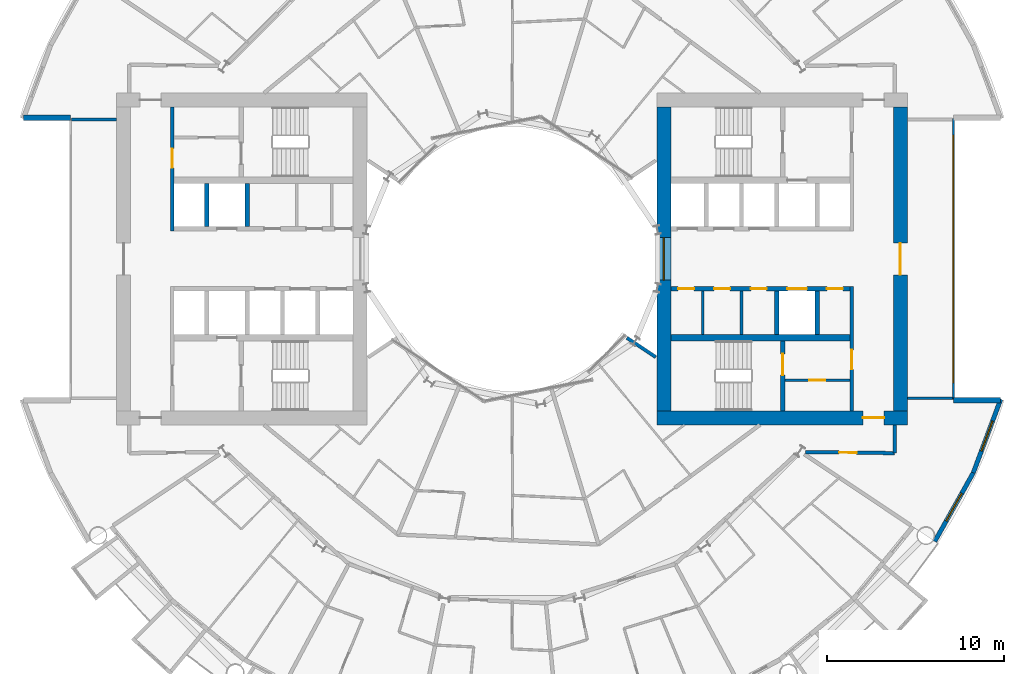
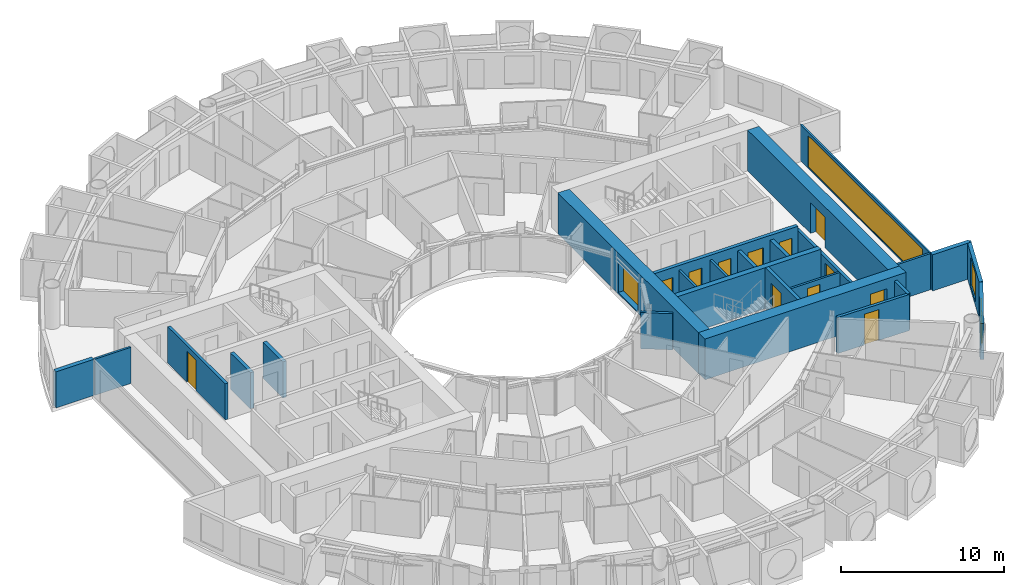
# One storey, part 17 of 25: 25 walls, 12 doors, 4 windows, 16 openings.
"""IFC4 building model written with IfcOpenShell, lengths in metres."""

from ifc_helpers import new_model, si_unit, direction, frame, frame_2d, origin, place, context, subcontext, project, spatial, rectangle, extrude, material, layer, layer_set, type_object, element, fill, save


model = new_model("IFC4")

# Units and contexts
model_context = context("Model", 3, precision=1e-05, world=origin(), true_north=direction((0.0, 1.0)))
body_context = subcontext(model_context, "Body", "Model", "MODEL_VIEW")
ifc_project = project(units=[si_unit("LENGTHUNIT", "METRE"), si_unit("AREAUNIT", "SQUARE_METRE"), si_unit("VOLUMEUNIT", "CUBIC_METRE"), si_unit("PLANEANGLEUNIT", "RADIAN"), si_unit("MASSUNIT", "GRAM", prefix="KILO")], contexts=[model_context])

# Site, building, storey
site_placement = place(None, origin())
site = spatial("IfcSite", under=ifc_project, at=site_placement, CompositionType="ELEMENT")
building_placement = place(site_placement, origin())
building = spatial("IfcBuilding", under=site, at=building_placement, Name="Maasbend Ring Residences", CompositionType="ELEMENT")
storey_placement = place(building_placement, frame((0.0, 0.0, 41.10009765625)))
storey = spatial("IfcBuildingStorey", under=building, at=storey_placement, Name="L11", CompositionType="ELEMENT", Elevation=41.10009765625)

# Wall, openings, doors
ifc_material_1 = material(Name="Concrete C70/85", Category="concrete")
ifc_layer_1 = layer(ifc_material_1, 0.25)
ifc_layer_set_1 = layer_set([ifc_layer_1], Name="Concrete C70/85")
wall_type_1 = type_object("IfcWallType", Name="CORE WALL 250 C70/85", PredefinedType="SHEAR", material=ifc_layer_set_1)
wall_1_placement = place(storey_placement, frame((19.14990234375, -1.699951171875, 0.0), z_axis=(0.0, 0.0, 1.0), x_axis=(-1.0, 0.0, 0.0)))
wall_1 = element("IfcWall", 1, at=wall_1_placement, inside=storey, type_object=wall_type_1, Name="L11 core E wall SPS", PredefinedType="SHEAR", context=body_context, shape_type="SweptSolid", body=[
    extrude(rectangle(XDim=10.14990234375, YDim=0.25, at=frame_2d((5.074951171875, 0.0))), origin(), (0.0, 0.0, 1.0), 3.0498046875),
])
opening_1_placement = place(wall_1_placement, frame((2.449951171875, 0.0, 0.0)))
opening_1 = element("IfcOpeningElement", 2, at=opening_1_placement, cuts=wall_1, Name="Opening LD-E1105", PredefinedType="OPENING", context=body_context, shape_type="SweptSolid", body=[
    extrude(rectangle(XDim=1.10009765625, YDim=2.300048828125, at=frame_2d((0.550048828125, 1.14990234375))), frame((0.0, 0.135009765625, 0.0), z_axis=(0.0, -1.0, 0.0), x_axis=(1.0, 0.0, 0.0)), (0.0, 0.0, 1.0), 0.27001953125),
])
opening_2_placement = place(wall_1_placement, frame((8.83740234375, 0.0, 0.0)))
opening_2 = element("IfcOpeningElement", 3, at=opening_2_placement, cuts=wall_1, Name="Opening D-E1106", PredefinedType="OPENING", context=body_context, shape_type="SweptSolid", body=[
    extrude(rectangle(XDim=0.89990234375, YDim=2.300048828125, at=frame_2d((0.449951171875, 1.14990234375))), frame((0.0, 0.135009765625, 0.0), z_axis=(0.0, -1.0, 0.0), x_axis=(1.0, 0.0, 0.0)), (0.0, 0.0, 1.0), 0.27001953125),
])
opening_3_placement = place(wall_1_placement, frame((6.800048828125, 0.0, 0.0)))
opening_3 = element("IfcOpeningElement", 4, at=opening_3_placement, cuts=wall_1, Name="Opening D-E1107", PredefinedType="OPENING", context=body_context, shape_type="SweptSolid", body=[
    extrude(rectangle(XDim=0.89990234375, YDim=2.300048828125, at=frame_2d((0.449951171875, 1.14990234375))), frame((0.0, 0.135009765625, 0.0), z_axis=(0.0, -1.0, 0.0), x_axis=(1.0, 0.0, 0.0)), (0.0, 0.0, 1.0), 0.27001953125),
])
opening_4_placement = place(wall_1_placement, frame((4.72509765625, 0.0, 0.0)))
opening_4 = element("IfcOpeningElement", 5, at=opening_4_placement, cuts=wall_1, Name="Opening D-E1108", PredefinedType="OPENING", context=body_context, shape_type="SweptSolid", body=[
    extrude(rectangle(XDim=0.89990234375, YDim=2.300048828125, at=frame_2d((0.449951171875, 1.14990234375))), frame((0.0, 0.135009765625, 0.0), z_axis=(0.0, -1.0, 0.0), x_axis=(1.0, 0.0, 0.0)), (0.0, 0.0, 1.0), 0.27001953125),
])
opening_5_placement = place(wall_1_placement, frame((0.41259765625, 0.0, 0.0)))
opening_5 = element("IfcOpeningElement", 6, at=opening_5_placement, cuts=wall_1, Name="Opening D-E1109", PredefinedType="OPENING", context=body_context, shape_type="SweptSolid", body=[
    extrude(rectangle(XDim=0.89990234375, YDim=2.300048828125, at=frame_2d((0.449951171875, 1.14990234375))), frame((0.0, 0.135009765625, 0.0), z_axis=(0.0, -1.0, 0.0), x_axis=(1.0, 0.0, 0.0)), (0.0, 0.0, 1.0), 0.27001953125),
])
ifc_material_2 = material(Name="Stainless steel 316", Category="steel")
door_type_1 = type_object("IfcDoorType", Name="LANDING DOOR 1100 X 2300 FD60", OperationType="DOUBLE_DOOR_SLIDING", PredefinedType="DOOR", material=ifc_material_2)
door_1_placement = place(opening_1_placement, origin())
door_1 = element("IfcDoor", 7, at=door_1_placement, inside=storey, type_object=door_type_1, Name="Landing door SV-E L11", OperationType="DOUBLE_DOOR_SLIDING", OverallHeight=2.300048828125, OverallWidth=1.10009765625, PredefinedType="DOOR", context=body_context, shape_type="SweptSolid", body=[
    extrude(rectangle(XDim=1.10009765625, YDim=2.300048828125, at=frame_2d((0.550048828125, 1.14990234375))), frame((0.0, 0.02490234375, 0.0), z_axis=(0.0, -1.0, 0.0), x_axis=(1.0, 0.0, 0.0)), (0.0, 0.0, 1.0), 0.050048828125),
])
fill(opening_1, door_1)
ifc_material_3 = material(Name="Steel, powder coated", Category="steel")
door_type_2 = type_object("IfcDoorType", Name="ROOM DOOR 900 X 2300 FD30S", OperationType="NOTDEFINED", PredefinedType="DOOR", material=ifc_material_3)
door_2_placement = place(opening_2_placement, origin())
door_2 = element("IfcDoor", 8, at=door_2_placement, inside=storey, type_object=door_type_2, Name="Room door L11", OperationType="SINGLE_SWING_LEFT", OverallHeight=2.300048828125, OverallWidth=0.89990234375, PredefinedType="DOOR", context=body_context, shape_type="SweptSolid", body=[
    extrude(rectangle(XDim=0.89990234375, YDim=2.300048828125, at=frame_2d((0.449951171875, 1.14990234375))), frame((0.0, 0.02490234375, 0.0), z_axis=(0.0, -1.0, 0.0), x_axis=(1.0, 0.0, 0.0)), (0.0, 0.0, 1.0), 0.050048828125),
])
fill(opening_2, door_2)
door_3_placement = place(opening_3_placement, origin())
door_3 = element("IfcDoor", 9, at=door_3_placement, inside=storey, type_object=door_type_2, Name="Room door L11", OperationType="SINGLE_SWING_LEFT", OverallHeight=2.300048828125, OverallWidth=0.89990234375, PredefinedType="DOOR", context=body_context, shape_type="SweptSolid", body=[
    extrude(rectangle(XDim=0.89990234375, YDim=2.300048828125, at=frame_2d((0.449951171875, 1.14990234375))), frame((0.0, 0.02490234375, 0.0), z_axis=(0.0, -1.0, 0.0), x_axis=(1.0, 0.0, 0.0)), (0.0, 0.0, 1.0), 0.050048828125),
])
fill(opening_3, door_3)
door_4_placement = place(opening_4_placement, origin())
door_4 = element("IfcDoor", 10, at=door_4_placement, inside=storey, type_object=door_type_2, Name="Room door L11", OperationType="SINGLE_SWING_LEFT", OverallHeight=2.300048828125, OverallWidth=0.89990234375, PredefinedType="DOOR", context=body_context, shape_type="SweptSolid", body=[
    extrude(rectangle(XDim=0.89990234375, YDim=2.300048828125, at=frame_2d((0.449951171875, 1.14990234375))), frame((0.0, 0.02490234375, 0.0), z_axis=(0.0, -1.0, 0.0), x_axis=(1.0, 0.0, 0.0)), (0.0, 0.0, 1.0), 0.050048828125),
])
fill(opening_4, door_4)
door_5_placement = place(opening_5_placement, origin())
door_5 = element("IfcDoor", 11, at=door_5_placement, inside=storey, type_object=door_type_2, Name="Room door L11", OperationType="SINGLE_SWING_RIGHT", OverallHeight=2.300048828125, OverallWidth=0.89990234375, PredefinedType="DOOR", context=body_context, shape_type="SweptSolid", body=[
    extrude(rectangle(XDim=0.89990234375, YDim=2.300048828125, at=frame_2d((0.449951171875, 1.14990234375))), frame((0.0, 0.02490234375, 0.0), z_axis=(0.0, -1.0, 0.0), x_axis=(1.0, 0.0, 0.0)), (0.0, 0.0, 1.0), 0.050048828125),
])
fill(opening_5, door_5)

# Wall, opening, door
wall_2_placement = place(storey_placement, frame((15.324951171875, -8.60009765625, 0.0), z_axis=(0.0, 0.0, 1.0), x_axis=(0.0, 1.0, 0.0)))
wall_2 = element("IfcWall", 12, at=wall_2_placement, inside=storey, type_object=wall_type_1, Name="L11 core E wall STES", PredefinedType="SHEAR", context=body_context, shape_type="SweptSolid", body=[
    extrude(rectangle(XDim=3.9501953125, YDim=0.25, at=frame_2d((1.97509765625, 0.0))), origin(), (0.0, 0.0, 1.0), 3.0498046875),
])
opening_6_placement = place(wall_2_placement, frame((2.02490234375, 0.0, 0.0)))
opening_6 = element("IfcOpeningElement", 13, at=opening_6_placement, cuts=wall_2, Name="Opening D-E1112", PredefinedType="OPENING", context=body_context, shape_type="SweptSolid", body=[
    extrude(rectangle(XDim=1.199951171875, YDim=2.300048828125, at=frame_2d((0.60009765625, 1.14990234375))), frame((0.0, 0.135009765625, 0.0), z_axis=(0.0, -1.0, 0.0), x_axis=(1.0, 0.0, 0.0)), (0.0, 0.0, 1.0), 0.27001953125),
])
ifc_material_4 = material(Name="Steel, powder coated", Category="steel")
door_type_3 = type_object("IfcDoorType", Name="STAIR DOOR 1200 X 2300 FD60", OperationType="NOTDEFINED", PredefinedType="DOOR", material=ifc_material_4)
door_6_placement = place(opening_6_placement, origin())
door_6 = element("IfcDoor", 14, at=door_6_placement, inside=storey, type_object=door_type_3, Name="Stair door ST-E L11", OperationType="SINGLE_SWING_LEFT", OverallHeight=2.300048828125, OverallWidth=1.199951171875, PredefinedType="DOOR", context=body_context, shape_type="SweptSolid", body=[
    extrude(rectangle(XDim=1.199951171875, YDim=2.300048828125, at=frame_2d((0.60009765625, 1.14990234375))), frame((0.0, 0.02490234375, 0.0), z_axis=(0.0, -1.0, 0.0), x_axis=(1.0, 0.0, 0.0)), (0.0, 0.0, 1.0), 0.050048828125),
])
fill(opening_6, door_6)

# Wall
ifc_material_5 = material(Name="Concrete C70/85", Category="concrete")
ifc_layer_2 = layer(ifc_material_5, 0.375)
ifc_layer_set_2 = layer_set([ifc_layer_2], Name="Concrete C70/85")
wall_type_2 = type_object("IfcWallType", Name="CORE WALL 375 C70/85", PredefinedType="SHEAR", material=ifc_layer_set_2)
wall_3_placement = place(storey_placement, frame((9.0, -4.46240234375, 0.0), z_axis=(0.0, 0.0, 1.0), x_axis=(1.0, 0.0, 0.0)))
element("IfcWall", 15, at=wall_3_placement, inside=storey, type_object=wall_type_2, Name="L11 core E wall BS", PredefinedType="SHEAR", context=body_context, shape_type="SweptSolid", body=[
    extrude(rectangle(XDim=10.14990234375, YDim=0.375, at=frame_2d((5.074951171875, 0.0))), origin(), (0.0, 0.0, 1.0), 3.0498046875),
])

# Wall, opening, door
ifc_material_6 = material(Name="Concrete C70/85", Category="concrete")
ifc_layer_3 = layer(ifc_material_6, 0.800048828125)
ifc_layer_set_3 = layer_set([ifc_layer_3], Name="Concrete C70/85")
wall_type_3 = type_object("IfcWallType", Name="CORE WALL 800 C70/85", PredefinedType="SHEAR", material=ifc_layer_set_3)
wall_4_placement = place(storey_placement, frame((8.199951171875, -9.0, 0.0), z_axis=(0.0, 0.0, 1.0), x_axis=(1.0, 0.0, 0.0)))
wall_4 = element("IfcWall", 16, at=wall_4_placement, inside=storey, type_object=wall_type_3, Name="L11 core E wall PS", PredefinedType="SHEAR", context=body_context, shape_type="SweptSolid", body=[
    extrude(rectangle(XDim=14.199951171875, YDim=0.800048828125, at=frame_2d((7.10009765625, 0.0))), origin(), (0.0, 0.0, 1.0), 3.0498046875),
])
opening_7_placement = place(wall_4_placement, frame((11.675048828125, 0.0, 0.0)))
opening_7 = element("IfcOpeningElement", 17, at=opening_7_placement, cuts=wall_4, Name="Opening D-E1116", PredefinedType="OPENING", context=body_context, shape_type="SweptSolid", body=[
    extrude(rectangle(XDim=1.199951171875, YDim=2.300048828125, at=frame_2d((0.60009765625, 1.14990234375))), frame((0.0, 0.41015625, 0.0), z_axis=(0.0, -1.0, 0.0), x_axis=(1.0, 0.0, 0.0)), (0.0, 0.0, 1.0), 0.820068359375),
])
ifc_material_7 = material(Name="Steel, powder coated", Category="steel")
door_type_4 = type_object("IfcDoorType", Name="CORRIDOR DOOR 1200 X 2300 FD30S", OperationType="NOTDEFINED", PredefinedType="DOOR", material=ifc_material_7)
door_7_placement = place(opening_7_placement, origin())
door_7 = element("IfcDoor", 18, at=door_7_placement, inside=storey, type_object=door_type_4, Name="Corridor door L11", OperationType="SINGLE_SWING_LEFT", OverallHeight=2.300048828125, OverallWidth=1.199951171875, PredefinedType="DOOR", context=body_context, shape_type="SweptSolid", body=[
    extrude(rectangle(XDim=1.199951171875, YDim=2.300048828125, at=frame_2d((0.60009765625, 1.14990234375))), frame((0.0, 0.02490234375, 0.0), z_axis=(0.0, -1.0, 0.0), x_axis=(1.0, 0.0, 0.0)), (0.0, 0.0, 1.0), 0.050048828125),
])
fill(opening_7, door_7)

wall_5_placement = place(storey_placement, frame((22.0, 8.60009765625, 0.0), z_axis=(0.0, 0.0, 1.0), x_axis=(0.0, -1.0, 0.0)))
wall_5 = element("IfcWall", 19, at=wall_5_placement, inside=storey, type_object=wall_type_3, Name="L11 core E wall POUT", PredefinedType="SHEAR", context=body_context, shape_type="SweptSolid", body=[
    extrude(rectangle(XDim=17.2001953125, YDim=0.800048828125, at=frame_2d((8.60009765625, 0.0))), origin(), (0.0, 0.0, 1.0), 3.0498046875),
])
opening_8_placement = place(wall_5_placement, frame((7.699951171875, 0.0, 0.0)))
opening_8 = element("IfcOpeningElement", 20, at=opening_8_placement, cuts=wall_5, Name="Opening D-E1117", PredefinedType="OPENING", context=body_context, shape_type="SweptSolid", body=[
    extrude(rectangle(XDim=1.800048828125, YDim=2.300048828125, at=frame_2d((0.89990234375, 1.14990234375))), frame((0.0, 0.41015625, 0.0), z_axis=(0.0, -1.0, 0.0), x_axis=(1.0, 0.0, 0.0)), (0.0, 0.0, 1.0), 0.820068359375),
])
ifc_material_8 = material(Name="Aluminium frame, clear glass", Category="aluminium")
door_type_5 = type_object("IfcDoorType", Name="ENTRANCE DOOR 1800 X 2300 FD60", OperationType="NOTDEFINED", PredefinedType="DOOR", material=ifc_material_8)
door_8_placement = place(opening_8_placement, origin())
door_8 = element("IfcDoor", 21, at=door_8_placement, inside=storey, type_object=door_type_5, Name="Lobby glazed door L11", OperationType="SINGLE_SWING_LEFT", OverallHeight=2.300048828125, OverallWidth=1.800048828125, PredefinedType="DOOR", context=body_context, shape_type="SweptSolid", body=[
    extrude(rectangle(XDim=1.800048828125, YDim=2.300048828125, at=frame_2d((0.89990234375, 1.14990234375))), frame((0.0, 0.02490234375, 0.0), z_axis=(0.0, -1.0, 0.0), x_axis=(1.0, 0.0, 0.0)), (0.0, 0.0, 1.0), 0.050048828125),
])
fill(opening_8, door_8)

# Wall, opening, window
wall_6_placement = place(storey_placement, frame((8.60009765625, -8.60009765625, 0.0), z_axis=(0.0, 0.0, 1.0), x_axis=(0.0, 1.0, 0.0)))
wall_6 = element("IfcWall", 22, at=wall_6_placement, inside=storey, type_object=wall_type_3, Name="L11 core E wall PIN", PredefinedType="SHEAR", context=body_context, shape_type="SweptSolid", body=[
    extrude(rectangle(XDim=17.2001953125, YDim=0.800048828125, at=frame_2d((8.60009765625, 0.0))), origin(), (0.0, 0.0, 1.0), 3.0498046875),
])
opening_9_placement = place(wall_6_placement, frame((7.39990234375, 0.0, 0.10009765625)))
opening_9 = element("IfcOpeningElement", 23, at=opening_9_placement, cuts=wall_6, Name="Opening W-E1101", PredefinedType="OPENING", context=body_context, shape_type="SweptSolid", body=[
    extrude(rectangle(XDim=2.39990234375, YDim=2.199951171875, at=frame_2d((1.199951171875, 1.10009765625))), frame((0.0, 0.41015625, 0.0), z_axis=(0.0, -1.0, 0.0), x_axis=(1.0, 0.0, 0.0)), (0.0, 0.0, 1.0), 0.820068359375),
])
ifc_material_9 = material(Name="Aluminium frame and clear glass", Category="aluminium")
window_type_1 = type_object("IfcWindowType", Name="FIXED WINDOW 2400 X 2200", PartitioningType="SINGLE_PANEL", PredefinedType="WINDOW", material=ifc_material_9)
window_1_placement = place(opening_9_placement, origin())
window_1 = element("IfcWindow", 24, at=window_1_placement, inside=storey, type_object=window_type_1, Name="Lobby window L11", OverallHeight=2.199951171875, OverallWidth=2.39990234375, PartitioningType="SINGLE_PANEL", PredefinedType="WINDOW", context=body_context, shape_type="SweptSolid", body=[
    extrude(rectangle(XDim=2.39990234375, YDim=2.199951171875, at=frame_2d((1.199951171875, 1.10009765625))), frame((0.0, 0.030029296875, 0.0), z_axis=(0.0, -1.0, 0.0), x_axis=(1.0, 0.0, 0.0)), (0.0, 0.0, 1.0), 0.06005859375),
])
fill(opening_9, window_1)

# Wall
ifc_material_10 = material(Name="Concrete C30/37", Category="concrete")
ifc_layer_4 = layer(ifc_material_10, 0.199951171875)
ifc_layer_set_4 = layer_set([ifc_layer_4], Name="Concrete C30/37")
wall_type_4 = type_object("IfcWallType", Name="CORRIDOR WALL 200 CONCRETE", PredefinedType="PARTITIONING", material=ifc_layer_set_4)
wall_7_placement = place(storey_placement, frame((21.675048828125, -11.0, 0.0), z_axis=(0.0, 0.0, 1.0), x_axis=(0.0, 1.0, 0.0)))
element("IfcWall", 25, at=wall_7_placement, inside=storey, type_object=wall_type_4, Name="U-L11-w007", PredefinedType="PARTITIONING", context=body_context, shape_type="SweptSolid", body=[
    extrude(rectangle(XDim=1.60009765625, YDim=0.199951171875, at=frame_2d((0.800048828125, 0.0))), origin(), (0.0, 0.0, 1.0), 2.699951171875),
])

# Wall, opening, door
wall_8_placement = place(storey_placement, frame((16.635986328125, -10.93896484375, 0.0), z_axis=(0.0, 0.0, 1.0), x_axis=(0.999926652916, -0.012111514691, 0.0)))
wall_8 = element("IfcWall", 26, at=wall_8_placement, inside=storey, type_object=wall_type_4, Name="U-L11-w029", PredefinedType="PARTITIONING", context=body_context, shape_type="SweptSolid", body=[
    extrude(rectangle(XDim=5.03955078125, YDim=0.199951171875, at=frame_2d((2.519775390625, 0.0))), origin(), (0.0, 0.0, 1.0), 2.699951171875),
])
opening_10_placement = place(wall_8_placement, frame((1.885986328125, 0.0, 0.0)))
opening_10 = element("IfcOpeningElement", 27, at=opening_10_placement, cuts=wall_8, Name="Opening D-1171", PredefinedType="OPENING", context=body_context, shape_type="SweptSolid", body=[
    extrude(rectangle(XDim=1.0, YDim=2.300048828125, at=frame_2d((0.5, 1.14990234375))), frame((0.0, 0.10986328125, 0.0), z_axis=(0.0, -1.0, 0.0), x_axis=(1.0, 0.0, 0.0)), (0.0, 0.0, 1.0), 0.219970703125),
])
ifc_material_11 = material(Name="Timber, painted", Category="wood")
door_type_6 = type_object("IfcDoorType", Name="ROOM DOOR 1000 X 2300", OperationType="NOTDEFINED", PredefinedType="DOOR", material=ifc_material_11)
door_9_placement = place(opening_10_placement, origin())
door_9 = element("IfcDoor", 28, at=door_9_placement, inside=storey, type_object=door_type_6, Name="D-1171", OperationType="SINGLE_SWING_LEFT", OverallHeight=2.300048828125, OverallWidth=1.0, PredefinedType="DOOR", context=body_context, shape_type="SweptSolid", body=[
    extrude(rectangle(XDim=1.0, YDim=2.300048828125, at=frame_2d((0.5, 1.14990234375))), frame((0.0, 0.02490234375, 0.0), z_axis=(0.0, -1.0, 0.0), x_axis=(1.0, 0.0, 0.0)), (0.0, 0.0, 1.0), 0.050048828125),
])
fill(opening_10, door_9)

# Wall, opening, window
ifc_material_12 = material(Name="Aluminium clad insulated panel", Category="aluminium")
ifc_layer_5 = layer(ifc_material_12, 0.25)
ifc_layer_set_5 = layer_set([ifc_layer_5], Name="EW-HORN")
wall_type_5 = type_object("IfcWallType", Name="EW-HORN", PredefinedType="SOLIDWALL", material=ifc_layer_set_5)
wall_9_placement = place(storey_placement, frame((23.946044921875, -16.0, 0.0), z_axis=(0.0, 0.0, 1.0), x_axis=(0.489696356642, 0.871893042919, 0.0)))
wall_9 = element("IfcWall", 29, at=wall_9_placement, inside=storey, type_object=wall_type_5, Name="Horn wall 2.1", PredefinedType="SOLIDWALL", context=body_context, shape_type="SweptSolid", body=[
    extrude(rectangle(XDim=4.45361328125, YDim=0.25, at=frame_2d((2.226806640625, 0.0))), origin(), (0.0, 0.0, 1.0), 2.699951171875),
])
opening_11_placement = place(wall_9_placement, frame((1.32666015625, 0.0, 0.300048828125)))
opening_11 = element("IfcOpeningElement", 30, at=opening_11_placement, cuts=wall_9, Name="Opening W-BX", PredefinedType="OPENING", context=body_context, shape_type="SweptSolid", body=[
    extrude(rectangle(XDim=1.800048828125, YDim=2.10009765625, at=frame_2d((0.89990234375, 1.050048828125))), frame((0.0, 0.135009765625, 0.0), z_axis=(0.0, -1.0, 0.0), x_axis=(1.0, 0.0, 0.0)), (0.0, 0.0, 1.0), 0.27001953125),
])
ifc_material_13 = material(Name="Aluminium and clear glass", Category="aluminium")
window_type_2 = type_object("IfcWindowType", Name="W-BX", PartitioningType="DOUBLE_PANEL_VERTICAL", PredefinedType="WINDOW", material=ifc_material_13)
window_2_placement = place(opening_11_placement, origin())
window_2 = element("IfcWindow", 31, at=window_2_placement, inside=storey, type_object=window_type_2, Name="Horn window 2.1", OverallHeight=2.10009765625, OverallWidth=1.800048828125, PartitioningType="SINGLE_PANEL", PredefinedType="WINDOW", context=body_context, shape_type="SweptSolid", body=[
    extrude(rectangle(XDim=1.800048828125, YDim=2.10009765625, at=frame_2d((0.89990234375, 1.050048828125))), frame((0.0, 0.030029296875, 0.0), z_axis=(0.0, -1.0, 0.0), x_axis=(1.0, 0.0, 0.0)), (0.0, 0.0, 1.0), 0.06005859375),
])
fill(opening_11, window_2)

wall_10_placement = place(storey_placement, frame((26.126953125, -12.116943359375, 0.0), z_axis=(0.0, 0.0, 1.0), x_axis=(0.349247811493, 0.937030397675, 0.0)))
wall_10 = element("IfcWall", 32, at=wall_10_placement, inside=storey, type_object=wall_type_5, Name="Horn wall 2.2", PredefinedType="SOLIDWALL", context=body_context, shape_type="SweptSolid", body=[
    extrude(rectangle(XDim=4.4521484375, YDim=0.25, at=frame_2d((2.22607421875, 0.0))), origin(), (0.0, 0.0, 1.0), 2.699951171875),
])
opening_12_placement = place(wall_10_placement, frame((1.32666015625, 0.0, 0.300048828125)))
opening_12 = element("IfcOpeningElement", 33, at=opening_12_placement, cuts=wall_10, Name="Opening W-BX", PredefinedType="OPENING", context=body_context, shape_type="SweptSolid", body=[
    extrude(rectangle(XDim=1.800048828125, YDim=2.10009765625, at=frame_2d((0.89990234375, 1.050048828125))), frame((0.0, 0.135009765625, 0.0), z_axis=(0.0, -1.0, 0.0), x_axis=(1.0, 0.0, 0.0)), (0.0, 0.0, 1.0), 0.27001953125),
])
window_3_placement = place(opening_12_placement, origin())
window_3 = element("IfcWindow", 34, at=window_3_placement, inside=storey, type_object=window_type_2, Name="Horn window 2.2", OverallHeight=2.10009765625, OverallWidth=1.800048828125, PartitioningType="SINGLE_PANEL", PredefinedType="WINDOW", context=body_context, shape_type="SweptSolid", body=[
    extrude(rectangle(XDim=1.800048828125, YDim=2.10009765625, at=frame_2d((0.89990234375, 1.050048828125))), frame((0.0, 0.030029296875, 0.0), z_axis=(0.0, -1.0, 0.0), x_axis=(1.0, 0.0, 0.0)), (0.0, 0.0, 1.0), 0.06005859375),
])
fill(opening_12, window_3)

# Walls
ifc_material_14 = material(Name="Aluminium clad insulated panel", Category="aluminium")
ifc_layer_6 = layer(ifc_material_14, 0.300048828125)
ifc_layer_set_6 = layer_set([ifc_layer_6], Name="EW-RET")
wall_type_6 = type_object("IfcWallType", Name="EW-RET", PredefinedType="SOLIDWALL", material=ifc_layer_set_6)
for number, where, z_axis, x_axis, name in (
    (35, (25.0, -8.0, 0.0), (0.0, 0.0, 1.0), (1.0, 0.0, 0.0), "Notch return wall east south"),
    (36, (-25.0, 8.0, 0.0), (0.0, 0.0, 1.0), (-1.0, 0.0, 0.0), "Notch return wall west north"),
):
    element("IfcWall", number, at=place(storey_placement, frame(where, z_axis=z_axis, x_axis=x_axis)), inside=storey, type_object=wall_type_6, Name=name, PredefinedType="SOLIDWALL", context=body_context, shape_type="SweptSolid", body=[
        extrude(rectangle(XDim=2.6669921875, YDim=0.300048828125, at=frame_2d((1.33349609375, 0.0))), origin(), (0.0, 0.0, 1.0), 2.699951171875),
    ])

# Wall, opening, window
ifc_material_15 = material(Name="Aluminium frame and clear glass", Category="aluminium")
ifc_layer_7 = layer(ifc_material_15, 0.1201171875)
ifc_layer_set_7 = layer_set([ifc_layer_7], Name="GLAZED SCREEN WALL 120 EI 60")
wall_type_7 = type_object("IfcWallType", Name="GLAZED SCREEN WALL 120 EI 60", PredefinedType="PARTITIONING", material=ifc_layer_set_7)
wall_11_placement = place(storey_placement, frame((25.0, -7.949951171875, 0.0), z_axis=(0.0, 0.0, 1.0), x_axis=(0.0, 1.0, 0.0)))
wall_11 = element("IfcWall", 37, at=wall_11_placement, inside=storey, type_object=wall_type_7, Name="L11 core E wall FACE", PredefinedType="PARTITIONING", context=body_context, shape_type="SweptSolid", body=[
    extrude(rectangle(XDim=15.89990234375, YDim=0.1201171875, at=frame_2d((7.949951171875, 0.0))), origin(), (0.0, 0.0, 1.0), 2.699951171875),
])
opening_13_placement = place(wall_11_placement, frame((0.949951171875, 0.0, 0.10009765625)))
opening_13 = element("IfcOpeningElement", 38, at=opening_13_placement, cuts=wall_11, Name="Opening W-E1102", PredefinedType="OPENING", context=body_context, shape_type="SweptSolid", body=[
    extrude(rectangle(XDim=14.0, YDim=2.35009765625, at=frame_2d((7.0, 1.175048828125))), frame((0.0, 0.070068359375, 0.0), z_axis=(0.0, -1.0, 0.0), x_axis=(1.0, 0.0, 0.0)), (0.0, 0.0, 1.0), 0.14013671875),
])
ifc_material_16 = material(Name="Aluminium frame and clear glass", Category="aluminium")
window_type_3 = type_object("IfcWindowType", Name="FIXED WINDOW 14000 X 2350", PartitioningType="SINGLE_PANEL", PredefinedType="WINDOW", material=ifc_material_16)
window_4_placement = place(opening_13_placement, origin())
window_4 = element("IfcWindow", 39, at=window_4_placement, inside=storey, type_object=window_type_3, Name="Lobby window L11", OverallHeight=2.35009765625, OverallWidth=14.0, PartitioningType="SINGLE_PANEL", PredefinedType="WINDOW", context=body_context, shape_type="SweptSolid", body=[
    extrude(rectangle(XDim=14.0, YDim=2.35009765625, at=frame_2d((7.0, 1.175048828125))), frame((0.0, 0.030029296875, 0.0), z_axis=(0.0, -1.0, 0.0), x_axis=(1.0, 0.0, 0.0)), (0.0, 0.0, 1.0), 0.06005859375),
])
fill(opening_13, window_4)

# Walls
ifc_material_17 = material(Name="Gypsum board on steel studs", Category="steel")
ifc_layer_8 = layer(ifc_material_17, 0.14990234375)
ifc_layer_set_8 = layer_set([ifc_layer_8], Name="PARTITION 150 EI 60")
wall_type_8 = type_object("IfcWallType", Name="PARTITION 150 EI 60", PredefinedType="PARTITIONING", material=ifc_layer_set_8)
for number, where, z_axis, x_axis, name in (
    (40, (10.800048828125, -1.824951171875, 0.0), (0.0, 0.0, 1.0), (0.0, -1.0, 0.0), "L11 core E wall PRS1080"),
    (41, (13.0, -1.824951171875, 0.0), (0.0, 0.0, 1.0), (0.0, -1.0, 0.0), "L11 core E wall PRS1300"),
):
    element("IfcWall", number, at=place(storey_placement, frame(where, z_axis=z_axis, x_axis=x_axis)), inside=storey, type_object=wall_type_8, Name=name, PredefinedType="PARTITIONING", context=body_context, shape_type="SweptSolid", body=[
        extrude(rectangle(XDim=2.449951171875, YDim=0.14990234375, at=frame_2d((1.22509765625, 0.0))), origin(), (0.0, 0.0, 1.0), 2.699951171875),
    ])

# Wall, opening, door
wall_12_placement = place(storey_placement, frame((15.449951171875, -6.875, 0.0), z_axis=(0.0, 0.0, 1.0), x_axis=(1.0, 0.0, 0.0)))
wall_12 = element("IfcWall", 42, at=wall_12_placement, inside=storey, type_object=wall_type_8, Name="L11 core E wall RHS", PredefinedType="PARTITIONING", context=body_context, shape_type="SweptSolid", body=[
    extrude(rectangle(XDim=3.699951171875, YDim=0.14990234375, at=frame_2d((1.85009765625, 0.0))), origin(), (0.0, 0.0, 1.0), 2.699951171875),
])
opening_14_placement = place(wall_12_placement, frame((1.39990234375, 0.0, 0.0)))
opening_14 = element("IfcOpeningElement", 43, at=opening_14_placement, cuts=wall_12, Name="Opening D-E1110", PredefinedType="OPENING", context=body_context, shape_type="SweptSolid", body=[
    extrude(rectangle(XDim=0.89990234375, YDim=2.300048828125, at=frame_2d((0.449951171875, 1.14990234375))), frame((0.0, 0.0849609375, 0.0), z_axis=(0.0, -1.0, 0.0), x_axis=(1.0, 0.0, 0.0)), (0.0, 0.0, 1.0), 0.169921875),
])
ifc_material_18 = material(Name="Steel, powder coated", Category="steel")
door_type_7 = type_object("IfcDoorType", Name="RISER DOOR 900 X 2300 FD60", OperationType="NOTDEFINED", PredefinedType="DOOR", material=ifc_material_18)
door_10_placement = place(opening_14_placement, origin())
door_10 = element("IfcDoor", 44, at=door_10_placement, inside=storey, type_object=door_type_7, Name="Riser door L11", OperationType="SINGLE_SWING_LEFT", OverallHeight=2.300048828125, OverallWidth=0.89990234375, PredefinedType="DOOR", context=body_context, shape_type="SweptSolid", body=[
    extrude(rectangle(XDim=0.89990234375, YDim=2.300048828125, at=frame_2d((0.449951171875, 1.14990234375))), frame((0.0, 0.02490234375, 0.0), z_axis=(0.0, -1.0, 0.0), x_axis=(1.0, 0.0, 0.0)), (0.0, 0.0, 1.0), 0.050048828125),
])
fill(opening_14, door_10)

# Walls
for number, where, z_axis, x_axis, name in (
    (45, (22.39990234375, -7.89990234375, 0.0), (0.0, 0.0, 1.0), (1.0, 0.0, 0.0), "L11 core E wall CITS"),
    (46, (-22.39990234375, 7.89990234375, 0.0), (0.0, 0.0, 1.0), (-1.0, 0.0, 0.0), "L11 core W wall CITS"),
):
    element("IfcWall", number, at=place(storey_placement, frame(where, z_axis=z_axis, x_axis=x_axis)), inside=storey, type_object=wall_type_8, Name=name, PredefinedType="PARTITIONING", context=body_context, shape_type="SweptSolid", body=[
        extrude(rectangle(XDim=2.5400390625, YDim=0.14990234375, at=frame_2d((1.27001953125, 0.0))), origin(), (0.0, 0.0, 1.0), 2.699951171875),
    ])
ifc_material_19 = material(Name="Concrete C30/37", Category="concrete")
ifc_layer_9 = layer(ifc_material_19, 0.199951171875)
ifc_layer_set_9 = layer_set([ifc_layer_9], Name="Concrete C30/37")
wall_type_9 = type_object("IfcWallType", Name="PARTY WALL 200 CONCRETE", PredefinedType="PARTITIONING", material=ifc_layer_set_9)
wall_13_placement = place(storey_placement, frame((6.512939453125, -4.471923828125, 0.0), z_axis=(0.0, 0.0, 1.0), x_axis=(0.831417956244, -0.555647533996, 0.0)))
element("IfcWall", 47, at=wall_13_placement, inside=storey, type_object=wall_type_9, Name="U-L11-w031", PredefinedType="PARTITIONING", context=body_context, shape_type="SweptSolid", body=[
    extrude(rectangle(XDim=1.9619140625, YDim=0.199951171875, at=frame_2d((0.98095703125, 0.0))), origin(), (0.0, 0.0, 1.0), 2.699951171875),
])

# Wall, opening, door
ifc_material_20 = material(Name="Concrete C30/37", Category="concrete")
ifc_layer_10 = layer(ifc_material_20, 0.199951171875)
ifc_layer_set_10 = layer_set([ifc_layer_10], Name="Concrete C30/37")
wall_type_10 = type_object("IfcWallType", Name="SHAFT WALL 200 EI 120", PredefinedType="SOLIDWALL", material=ifc_layer_set_10)
wall_14_placement = place(storey_placement, frame((19.25, -8.60009765625, 0.0), z_axis=(0.0, 0.0, 1.0), x_axis=(0.0, 1.0, 0.0)))
wall_14 = element("IfcWall", 48, at=wall_14_placement, inside=storey, type_object=wall_type_10, Name="L11 core E wall ENDS", PredefinedType="SOLIDWALL", context=body_context, shape_type="SweptSolid", body=[
    extrude(rectangle(XDim=7.025146484375, YDim=0.199951171875, at=frame_2d((3.5126953125, 0.0))), origin(), (0.0, 0.0, 1.0), 2.699951171875),
])
opening_15_placement = place(wall_14_placement, frame((2.35009765625, 0.0, 0.0)))
opening_15 = element("IfcOpeningElement", 49, at=opening_15_placement, cuts=wall_14, Name="Opening D-E1114", PredefinedType="OPENING", context=body_context, shape_type="SweptSolid", body=[
    extrude(rectangle(XDim=1.10009765625, YDim=2.300048828125, at=frame_2d((0.550048828125, 1.14990234375))), frame((0.0, 0.10986328125, 0.0), z_axis=(0.0, -1.0, 0.0), x_axis=(1.0, 0.0, 0.0)), (0.0, 0.0, 1.0), 0.219970703125),
])
ifc_material_21 = material(Name="Steel, powder coated", Category="steel")
door_type_8 = type_object("IfcDoorType", Name="LOBBY DOOR 1100 X 2300 FD60", OperationType="NOTDEFINED", PredefinedType="DOOR", material=ifc_material_21)
door_11_placement = place(opening_15_placement, origin())
door_11 = element("IfcDoor", 50, at=door_11_placement, inside=storey, type_object=door_type_8, Name="Lobby door L11", OperationType="SINGLE_SWING_RIGHT", OverallHeight=2.300048828125, OverallWidth=1.10009765625, PredefinedType="DOOR", context=body_context, shape_type="SweptSolid", body=[
    extrude(rectangle(XDim=1.10009765625, YDim=2.300048828125, at=frame_2d((0.550048828125, 1.14990234375))), frame((0.0, 0.02490234375, 0.0), z_axis=(0.0, -1.0, 0.0), x_axis=(1.0, 0.0, 0.0)), (0.0, 0.0, 1.0), 0.050048828125),
])
fill(opening_15, door_11)

wall_15_placement = place(storey_placement, frame((-19.25, 8.60009765625, 0.0), z_axis=(0.0, 0.0, 1.0), x_axis=(0.0, -1.0, 0.0)))
wall_15 = element("IfcWall", 51, at=wall_15_placement, inside=storey, type_object=wall_type_10, Name="L11 core W wall ENDS", PredefinedType="SOLIDWALL", context=body_context, shape_type="SweptSolid", body=[
    extrude(rectangle(XDim=7.025146484375, YDim=0.199951171875, at=frame_2d((3.5126953125, 0.0))), origin(), (0.0, 0.0, 1.0), 2.699951171875),
])
opening_16_placement = place(wall_15_placement, frame((2.35009765625, 0.0, 0.0)))
opening_16 = element("IfcOpeningElement", 52, at=opening_16_placement, cuts=wall_15, Name="Opening D-W1113", PredefinedType="OPENING", context=body_context, shape_type="SweptSolid", body=[
    extrude(rectangle(XDim=1.10009765625, YDim=2.300048828125, at=frame_2d((0.550048828125, 1.14990234375))), frame((0.0, 0.10986328125, 0.0), z_axis=(0.0, -1.0, 0.0), x_axis=(1.0, 0.0, 0.0)), (0.0, 0.0, 1.0), 0.219970703125),
])
door_12_placement = place(opening_16_placement, origin())
door_12 = element("IfcDoor", 53, at=door_12_placement, inside=storey, type_object=door_type_8, Name="Lobby door L11", OperationType="SINGLE_SWING_RIGHT", OverallHeight=2.300048828125, OverallWidth=1.10009765625, PredefinedType="DOOR", context=body_context, shape_type="SweptSolid", body=[
    extrude(rectangle(XDim=1.10009765625, YDim=2.300048828125, at=frame_2d((0.550048828125, 1.14990234375))), frame((0.0, 0.02490234375, 0.0), z_axis=(0.0, -1.0, 0.0), x_axis=(1.0, 0.0, 0.0)), (0.0, 0.0, 1.0), 0.050048828125),
])
fill(opening_16, door_12)

# Walls
ifc_material_22 = material(Name="Concrete C30/37", Category="concrete")
ifc_layer_11 = layer(ifc_material_22, 0.25)
ifc_layer_set_11 = layer_set([ifc_layer_11], Name="Concrete C30/37")
wall_type_11 = type_object("IfcWallType", Name="SHAFT WALL 250 EI 120", PredefinedType="SOLIDWALL", material=ifc_layer_set_11)
for number, where, z_axis, x_axis, name in (
    (54, (15.0, -1.824951171875, 0.0), (0.0, 0.0, 1.0), (0.0, -1.0, 0.0), "L11 core E wall D150S"),
    (55, (17.300048828125, -1.824951171875, 0.0), (0.0, 0.0, 1.0), (0.0, -1.0, 0.0), "L11 core E wall D173S"),
    (56, (-15.0, 1.824951171875, 0.0), (0.0, 0.0, 1.0), (0.0, 1.0, 0.0), "L11 core W wall D150S"),
    (57, (-17.300048828125, 1.824951171875, 0.0), (0.0, 0.0, 1.0), (0.0, 1.0, 0.0), "L11 core W wall D173S"),
):
    element("IfcWall", number, at=place(storey_placement, frame(where, z_axis=z_axis, x_axis=x_axis)), inside=storey, type_object=wall_type_11, Name=name, PredefinedType="SOLIDWALL", context=body_context, shape_type="SweptSolid", body=[
        extrude(rectangle(XDim=2.449951171875, YDim=0.25, at=frame_2d((1.22509765625, 0.0))), origin(), (0.0, 0.0, 1.0), 2.699951171875),
    ])

save(model, "model.ifc")
